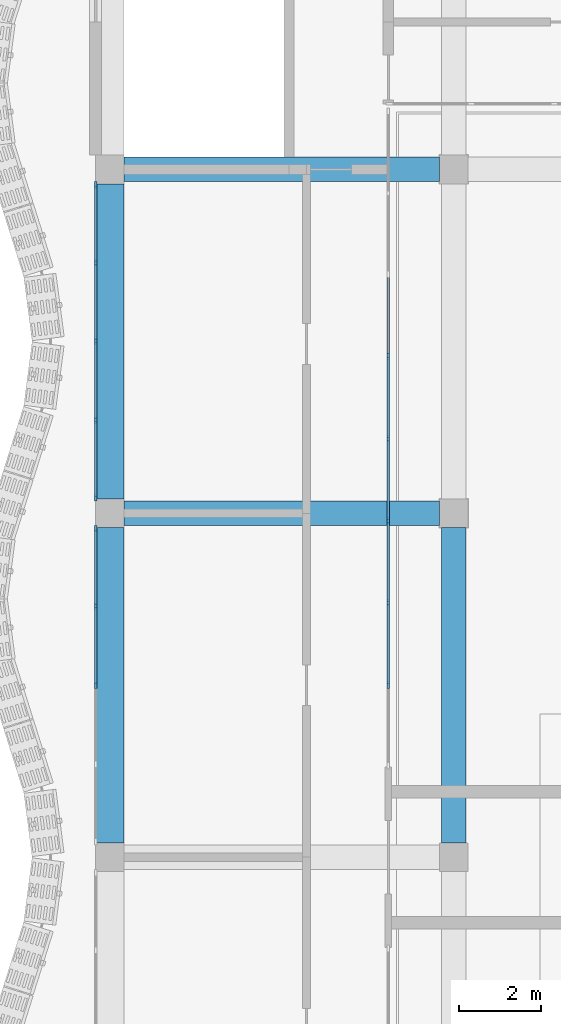
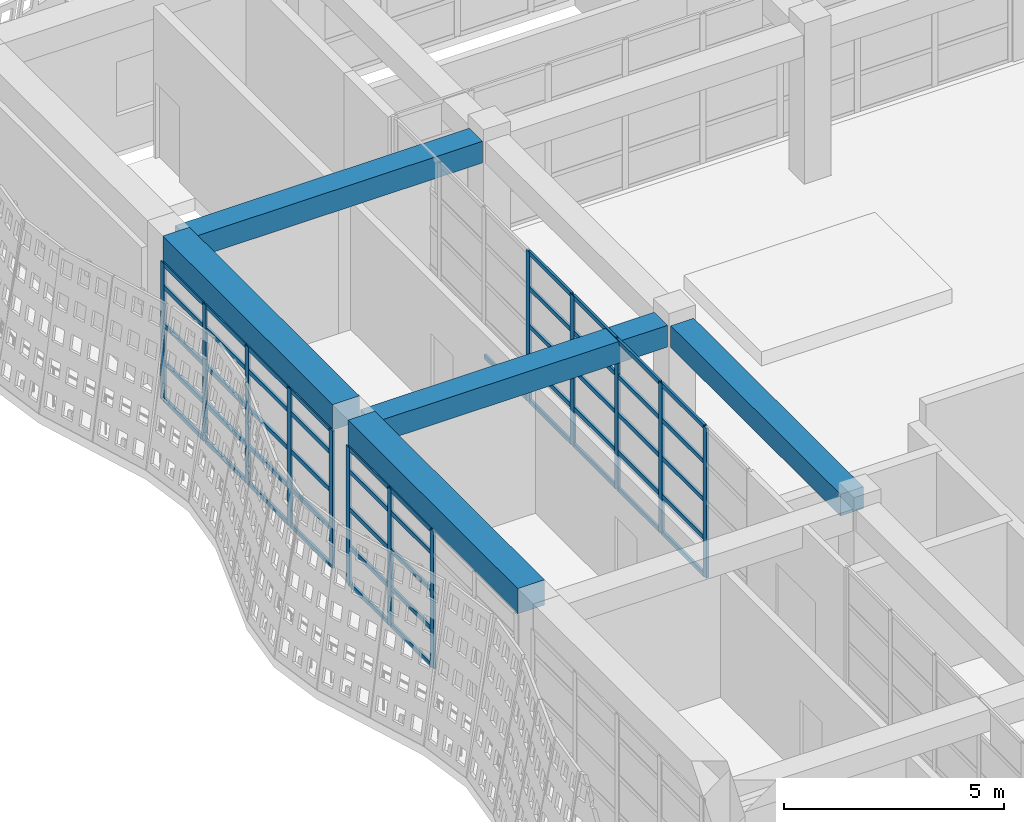
# One storey, part 9 of 85: 64 members, 5 beams, 3 elements without a shape of their own.
"""IFC4 building model written with IfcOpenShell, lengths in metres."""

import ifcopenshell
import ifcopenshell.guid

model = None  # the IFC model being written
_history = None  # IfcOwnerHistory: only IFC2X3 demands one
_inside = {}  # id of a spatial element -> (the spatial element, [elements in it])
_under = {}  # id of a project, library or spatial element -> (it, [spatial elements below it])
_declared = {}  # id of a project -> (the project, [libraries it declares])
_typed = {}  # id of a type object -> (the type object, [elements of that type])
_made_of = {}  # id of a material, layer set ... -> (it, [elements and type objects made of it])


def new_model(schema):
    """Start an empty IFC model of exactly this schema.

    Asked for "IFC4X3", IfcOpenShell would pick the latest addendum, in which some entities
    have other attributes; the version numbers below select the first issue.
    IFC2X3 requires an IfcOwnerHistory on every rooted entity: one is made here for all.
    """
    global model, _history
    if schema == "IFC4X3":
        model = ifcopenshell.file(schema_version=(4, 3, 0, 0))
    else:
        model = ifcopenshell.file(schema=schema)
    _inside.clear()
    _under.clear()
    _declared.clear()
    _typed.clear()
    _made_of.clear()
    _history = None
    if model.schema == "IFC2X3":
        org = make("IfcOrganization", Name="unknown")
        user = make(
            "IfcPersonAndOrganization",
            ThePerson=make("IfcPerson", FamilyName="unknown"),
            TheOrganization=org,
        )
        app = make(
            "IfcApplication",
            ApplicationDeveloper=org,
            Version="unknown",
            ApplicationFullName="unknown",
            ApplicationIdentifier="unknown",
        )
        _history = make(
            "IfcOwnerHistory",
            OwningUser=user,
            OwningApplication=app,
            ChangeAction="ADDED",
            CreationDate=0,
        )
    return model


def make(cls, **values):
    """One entity of the class cls with the attributes given. An attribute that is None is left unset."""
    return model.create_entity(
        cls, **{name: value for name, value in values.items() if value is not None}
    )


def rooted(cls, **values):
    """An entity with a GlobalId (a new one), such as an element, a storey or a relation."""
    return make(cls, GlobalId=ifcopenshell.guid.new(), OwnerHistory=_history, **values)


def si_unit(unit_type, name, prefix=None):
    """IfcSIUnit, for example si_unit("LENGTHUNIT", "METRE", prefix="MILLI")."""
    return make("IfcSIUnit", UnitType=unit_type, Prefix=prefix, Name=name)


def assignment(units):
    """IfcUnitAssignment: the units of a project."""
    return None if units is None else make("IfcUnitAssignment", Units=units)


def point(xyz):
    """IfcCartesianPoint."""
    return None if xyz is None else make("IfcCartesianPoint", Coordinates=xyz)


def direction(xyz):
    """IfcDirection."""
    return None if xyz is None else make("IfcDirection", DirectionRatios=xyz)


def frame(location, z_axis=None, x_axis=None):
    """IfcAxis2Placement3D, a coordinate frame: its origin and axes. An axis left out is left unset."""
    return make(
        "IfcAxis2Placement3D",
        Location=point(location),
        Axis=direction(z_axis),
        RefDirection=direction(x_axis),
    )


def frame_2d(location, x_axis=None):
    """IfcAxis2Placement2D, a coordinate frame in the plane: its origin and x axis."""
    return make(
        "IfcAxis2Placement2D", Location=point(location), RefDirection=direction(x_axis)
    )


def origin():
    """The frame at (0, 0, 0) with its axes left unset."""
    return frame((0.0, 0.0, 0.0))


def origin_2d():
    """The frame at (0, 0) in the plane with its x axis left unset."""
    return frame_2d((0.0, 0.0))


def place(relative_to, where):
    """IfcLocalPlacement: puts the frame where relative to a parent placement (None: the world)."""
    return make(
        "IfcLocalPlacement", PlacementRelTo=relative_to, RelativePlacement=where
    )


def context(
    kind, dimensions, precision=None, world=None, true_north=None, identifier=None
):
    """IfcGeometricRepresentationContext, for example the 3D "Model" context."""
    return make(
        "IfcGeometricRepresentationContext",
        ContextIdentifier=identifier,
        ContextType=kind,
        CoordinateSpaceDimension=dimensions,
        Precision=precision,
        WorldCoordinateSystem=world,
        TrueNorth=true_north,
    )


def subcontext(parent, identifier, kind, view, scale=None):
    """IfcGeometricRepresentationSubContext, for example "Body" below "Model"."""
    return make(
        "IfcGeometricRepresentationSubContext",
        ContextIdentifier=identifier,
        ContextType=kind,
        ParentContext=parent,
        TargetScale=scale,
        TargetView=view,
    )


def project(units=None, contexts=None):
    """IfcProject with its units and contexts."""
    return rooted(
        "IfcProject",
        Name="project",
        RepresentationContexts=contexts,
        UnitsInContext=assignment(units),
    )


def spatial(cls, under=None, at=None, **own):
    """A site, building, storey or space (cls), placed at a placement, below another one or the project."""
    s = rooted(cls, ObjectPlacement=at, **own)
    if under is not None:
        _under.setdefault(under.id(), (under, []))[1].append(s)
    return s


def profile(cls, at=None, kind="AREA", **sizes):
    """A parametric profile (cls). Its sizes go by their IFC names, for example OverallWidth=200.0."""
    return make(cls, ProfileType=kind, Position=at, **sizes)


def rectangle(**sizes):
    """IfcRectangleProfileDef."""
    return profile("IfcRectangleProfileDef", **sizes)


def extrude(swept, where, along, depth):
    """IfcExtrudedAreaSolid: the profile swept, set in the frame where, extruded along a direction by depth."""
    return make(
        "IfcExtrudedAreaSolid",
        SweptArea=swept,
        Position=where,
        ExtrudedDirection=direction(along),
        Depth=depth,
    )


def shape(context_of_items, identifier, shape_type, items):
    """IfcShapeRepresentation: the items that make up one representation, for example the "Body"."""
    return make(
        "IfcShapeRepresentation",
        ContextOfItems=context_of_items,
        RepresentationIdentifier=identifier,
        RepresentationType=shape_type,
        Items=items,
    )


def material(Name=None, Category=None):
    """IfcMaterial."""
    return make("IfcMaterial", Name=Name, Category=Category)


def material_profile(
    of_material, cross_section, Name=None, Category=None, Priority=None
):
    """IfcMaterialProfile: a cross section and its material."""
    return make(
        "IfcMaterialProfile",
        Name=Name,
        Material=of_material,
        Profile=cross_section,
        Priority=Priority,
        Category=Category,
    )


def profile_set(profiles, Name=None, composite=None):
    """IfcMaterialProfileSet."""
    return make(
        "IfcMaterialProfileSet",
        Name=Name,
        MaterialProfiles=profiles,
        CompositeProfile=composite,
    )


def made_of(thing, what):
    """Note that an element or type object is made of a material, layer set ...; save() writes the relation."""
    if what is not None:
        _made_of.setdefault(what.id(), (what, []))[1].append(thing)
    return thing


def type_object(cls, material=None, **own):
    """A type object (cls), such as IfcWallType, which elements share."""
    return made_of(rooted(cls, **own), material)


def element(
    cls,
    number,
    at=None,
    inside=None,
    cuts=None,
    type_object=None,
    material=None,
    context=None,
    identifier="Body",
    shape_type=None,
    held_by="IfcProductDefinitionShape",
    body=None,
    shapes=None,
    **own,
):
    """One element of the class cls, such as IfcWall. Its Tag is "e" and its number.

    at: its placement. inside: the storey or other place that contains it. cuts: it is an
    opening in that element (IfcRelVoidsElement). A single representation is given by context,
    identifier, shape_type and body (its items); several are given by shapes. held_by: the class
    of the entity that holds the representations. save() writes the other relations.
    """
    e = rooted(cls, Tag="e%d" % number, ObjectPlacement=at, **own)
    if body is not None:
        shapes = [shape(context, identifier, shape_type, body)]
    if shapes is not None:
        e.Representation = make(held_by, Representations=shapes)
    if inside is not None:
        _inside.setdefault(inside.id(), (inside, []))[1].append(e)
    if cuts is not None:
        rooted(
            "IfcRelVoidsElement", RelatingBuildingElement=cuts, RelatedOpeningElement=e
        )
    if type_object is not None:
        _typed.setdefault(type_object.id(), (type_object, []))[1].append(e)
    return made_of(e, material)


def aggregate(whole, parts):
    """IfcRelAggregates: a whole, such as a stair, and the parts it consists of."""
    return rooted("IfcRelAggregates", RelatingObject=whole, RelatedObjects=parts)


def save(model, path):
    """Write the relations noted so far, then the file.

    IfcRelAggregates (storeys below a building ...), IfcRelContainedInSpatialStructure (elements
    in a storey), IfcRelDefinesByType, IfcRelAssociatesMaterial and IfcRelDeclares: one each for
    every whole, place, type object, material and project.
    """
    for whole, parts in _under.values():
        aggregate(whole, parts)
    for where, things in _inside.values():
        rooted(
            "IfcRelContainedInSpatialStructure",
            RelatedElements=things,
            RelatingStructure=where,
        )
    for kind, things in _typed.values():
        rooted("IfcRelDefinesByType", RelatedObjects=things, RelatingType=kind)
    for what, things in _made_of.values():
        rooted("IfcRelAssociatesMaterial", RelatedObjects=things, RelatingMaterial=what)
    for by, libraries in _declared.values():
        rooted("IfcRelDeclares", RelatingContext=by, RelatedDefinitions=libraries)
    model.write(path)


model = new_model("IFC4")

# Units and contexts
model_context = context("Model", 3, precision=1e-05, world=origin(), true_north=direction((0.0, 1.0)))
body_context = subcontext(model_context, "Body", "Model", "MODEL_VIEW")
ifc_project = project(units=[si_unit("LENGTHUNIT", "METRE"), si_unit("AREAUNIT", "SQUARE_METRE"), si_unit("VOLUMEUNIT", "CUBIC_METRE"), si_unit("PLANEANGLEUNIT", "RADIAN"), si_unit("MASSUNIT", "GRAM", prefix="KILO")], contexts=[model_context])

# Site, building, storey
site_placement = place(None, origin())
site = spatial("IfcSite", under=ifc_project, at=site_placement, CompositionType="ELEMENT")
building_placement = place(site_placement, origin())
building = spatial("IfcBuilding", under=site, at=building_placement, Name="Rain Tree Exposition and Congress Centre", CompositionType="ELEMENT")
storey_placement = place(building_placement, frame((0.0, 0.0, 15.0)))
storey = spatial("IfcBuildingStorey", under=building, at=storey_placement, Name="L03", CompositionType="ELEMENT", Elevation=15.0)

# Beams
ifc_material_1 = material(Name="Precast concrete C50/60", Category="concrete")
ifc_material_profile_1 = material_profile(ifc_material_1, rectangle(XDim=0.60009765625, YDim=0.60009765625, at=origin_2d()), Name="RC 600x600")
ifc_profile_set_1 = profile_set([ifc_material_profile_1], Name="Precast concrete C50/60")
beam_type_1 = type_object("IfcBeamType", Name="Precast beam 600x600", PredefinedType="BEAM", material=ifc_profile_set_1)
for number, where, z_axis, x_axis, name in (
    (1, (8.39990234375, 25.550048828125, 3.85009765625), (0.0, 1.0, 0.0), (-1.0, 0.0, 0.0), "wing/beam/L03/RF/020"),
    (2, (0.35009765625, 33.60009765625, 3.85009765625), (1.0, 0.0, 0.0), (0.0, 1.0, 0.0), "wing/beam/L03/RF/041"),
    (3, (0.35009765625, 42.0, 3.85009765625), (1.0, 0.0, 0.0), (0.0, 1.0, 0.0), "wing/beam/L03/RF/049"),
):
    element("IfcBeam", number, at=place(storey_placement, frame(where, z_axis=z_axis, x_axis=x_axis)), inside=storey, type_object=beam_type_1, Name=name, PredefinedType="BEAM", context=body_context, shape_type="SweptSolid", body=[
        extrude(rectangle(XDim=0.60009765625, YDim=0.60009765625, at=origin_2d()), origin(), (0.0, 0.0, 1.0), 7.699951171875),
    ])
ifc_material_2 = material(Name="Precast concrete C50/60", Category="concrete")
ifc_material_profile_2 = material_profile(ifc_material_2, rectangle(XDim=0.699951171875, YDim=0.699951171875, at=origin_2d()), Name="RC 700x700")
ifc_profile_set_2 = profile_set([ifc_material_profile_2], Name="Precast concrete C50/60")
beam_type_2 = type_object("IfcBeamType", Name="Precast spandrel beam 700x700", PredefinedType="SPANDREL", material=ifc_profile_set_2)
for number, where, z_axis, x_axis, name in (
    (4, (0.0, 25.550048828125, 4.14990234375), (0.0, 1.0, 0.0), (-1.0, 0.0, 0.0), "wing/beam/L03/RF/008"),
    (5, (0.0, 33.949951171875, 4.14990234375), (0.0, 1.0, 0.0), (-1.0, 0.0, 0.0), "wing/beam/L03/RF/010"),
):
    element("IfcBeam", number, at=place(storey_placement, frame(where, z_axis=z_axis, x_axis=x_axis)), inside=storey, type_object=beam_type_2, Name=name, PredefinedType="SPANDREL", context=body_context, shape_type="SweptSolid", body=[
        extrude(rectangle(XDim=0.699951171875, YDim=0.699951171875, at=origin_2d()), origin(), (0.0, 0.0, 1.0), 7.699951171875),
    ])

# Curtain wall, members
ifc_material_3 = material(Name="Aluminium curtain wall", Category="aluminium")
curtain_wall_type = type_object("IfcCurtainWallType", Name="Wing curtain wall 1925", PredefinedType="NOTDEFINED", material=ifc_material_3)
curtain_wall_1_placement = place(storey_placement, origin())
curtain_wall_1 = element("IfcCurtainWall", 6, at=curtain_wall_1_placement, inside=storey, type_object=curtain_wall_type, Name="Curtain wall CWW410", PredefinedType="NOTDEFINED")
ifc_material_4 = material(Name="Aluminium", Category="aluminium")
ifc_material_profile_3 = material_profile(ifc_material_4, rectangle(XDim=0.06005859375, YDim=0.159912109375, at=origin_2d()), Name="Aluminium 60x160")
ifc_profile_set_3 = profile_set([ifc_material_profile_3], Name="Aluminium")
member_type_1 = type_object("IfcMemberType", Name="Wing mullion 60x160", PredefinedType="MULLION", material=ifc_profile_set_3)
member_1_placement = place(storey_placement, frame((-0.35009765625, 29.39990234375, 0.0), z_axis=(0.0, 0.0, 1.0), x_axis=(-1.0, 0.0, 0.0)))
member_1 = element("IfcMember", 7, at=member_1_placement, type_object=member_type_1, Name="CWW410 mullion 3", PredefinedType="MULLION", context=body_context, shape_type="SweptSolid", body=[
    extrude(rectangle(XDim=0.06005859375, YDim=0.159912109375, at=origin_2d()), origin(), (0.0, 0.0, 1.0), 3.800048828125),
])
member_2_placement = place(storey_placement, frame((-0.35009765625, 31.324951171875, 0.0), z_axis=(0.0, 0.0, 1.0), x_axis=(-1.0, 0.0, 0.0)))
member_2 = element("IfcMember", 8, at=member_2_placement, type_object=member_type_1, Name="CWW410 mullion 4", PredefinedType="MULLION", context=body_context, shape_type="SweptSolid", body=[
    extrude(rectangle(XDim=0.06005859375, YDim=0.159912109375, at=origin_2d()), origin(), (0.0, 0.0, 1.0), 3.800048828125),
])
member_3_placement = place(storey_placement, frame((-0.35009765625, 33.219970703125, 0.0), z_axis=(0.0, 0.0, 1.0), x_axis=(-1.0, 0.0, 0.0)))
member_3 = element("IfcMember", 9, at=member_3_placement, type_object=member_type_1, Name="CWW410 mullion 5", PredefinedType="MULLION", context=body_context, shape_type="SweptSolid", body=[
    extrude(rectangle(XDim=0.06005859375, YDim=0.159912109375, at=origin_2d()), origin(), (0.0, 0.0, 1.0), 3.800048828125),
])

curtain_wall_2_placement = place(storey_placement, origin())
curtain_wall_2 = element("IfcCurtainWall", 10, at=curtain_wall_2_placement, inside=storey, type_object=curtain_wall_type, Name="Curtain wall CWW411", PredefinedType="NOTDEFINED")
member_4_placement = place(storey_placement, frame((-0.35009765625, 33.97998046875, 0.0), z_axis=(0.0, 0.0, 1.0), x_axis=(-1.0, 0.0, 0.0)))
member_4 = element("IfcMember", 11, at=member_4_placement, type_object=member_type_1, Name="CWW411 mullion 1", PredefinedType="MULLION", context=body_context, shape_type="SweptSolid", body=[
    extrude(rectangle(XDim=0.06005859375, YDim=0.159912109375, at=origin_2d()), origin(), (0.0, 0.0, 1.0), 3.800048828125),
])
member_5_placement = place(storey_placement, frame((-0.35009765625, 35.875, 0.0), z_axis=(0.0, 0.0, 1.0), x_axis=(-1.0, 0.0, 0.0)))
member_5 = element("IfcMember", 12, at=member_5_placement, type_object=member_type_1, Name="CWW411 mullion 2", PredefinedType="MULLION", context=body_context, shape_type="SweptSolid", body=[
    extrude(rectangle(XDim=0.06005859375, YDim=0.159912109375, at=origin_2d()), origin(), (0.0, 0.0, 1.0), 3.800048828125),
])
member_6_placement = place(storey_placement, frame((-0.35009765625, 37.800048828125, 0.0), z_axis=(0.0, 0.0, 1.0), x_axis=(-1.0, 0.0, 0.0)))
member_6 = element("IfcMember", 13, at=member_6_placement, type_object=member_type_1, Name="CWW411 mullion 3", PredefinedType="MULLION", context=body_context, shape_type="SweptSolid", body=[
    extrude(rectangle(XDim=0.06005859375, YDim=0.159912109375, at=origin_2d()), origin(), (0.0, 0.0, 1.0), 3.800048828125),
])
member_7_placement = place(storey_placement, frame((-0.35009765625, 39.72509765625, 0.0), z_axis=(0.0, 0.0, 1.0), x_axis=(-1.0, 0.0, 0.0)))
member_7 = element("IfcMember", 14, at=member_7_placement, type_object=member_type_1, Name="CWW411 mullion 4", PredefinedType="MULLION", context=body_context, shape_type="SweptSolid", body=[
    extrude(rectangle(XDim=0.06005859375, YDim=0.159912109375, at=origin_2d()), origin(), (0.0, 0.0, 1.0), 3.800048828125),
])
member_8_placement = place(storey_placement, frame((-0.35009765625, 41.6201171875, 0.0), z_axis=(0.0, 0.0, 1.0), x_axis=(-1.0, 0.0, 0.0)))
member_8 = element("IfcMember", 15, at=member_8_placement, type_object=member_type_1, Name="CWW411 mullion 5", PredefinedType="MULLION", context=body_context, shape_type="SweptSolid", body=[
    extrude(rectangle(XDim=0.06005859375, YDim=0.159912109375, at=origin_2d()), origin(), (0.0, 0.0, 1.0), 3.800048828125),
])

curtain_wall_3_placement = place(storey_placement, origin())
curtain_wall_3 = element("IfcCurtainWall", 16, at=curtain_wall_3_placement, inside=storey, type_object=curtain_wall_type, Name="Curtain wall CWW506", PredefinedType="NOTDEFINED")
member_9_placement = place(storey_placement, frame((6.800048828125, 29.40625, 0.0), z_axis=(0.0, 0.0, 1.0), x_axis=(-1.0, 0.0, 0.0)))
member_9 = element("IfcMember", 17, at=member_9_placement, type_object=member_type_1, Name="CWW506 mullion 2", PredefinedType="MULLION", context=body_context, shape_type="SweptSolid", body=[
    extrude(rectangle(XDim=0.06005859375, YDim=0.159912109375, at=origin_2d()), origin(), (0.0, 0.0, 1.0), 4.14990234375),
])
member_10_placement = place(storey_placement, frame((6.800048828125, 31.41259765625, 0.0), z_axis=(0.0, 0.0, 1.0), x_axis=(-1.0, 0.0, 0.0)))
member_10 = element("IfcMember", 18, at=member_10_placement, type_object=member_type_1, Name="CWW506 mullion 3", PredefinedType="MULLION", context=body_context, shape_type="SweptSolid", body=[
    extrude(rectangle(XDim=0.06005859375, YDim=0.159912109375, at=origin_2d()), origin(), (0.0, 0.0, 1.0), 4.14990234375),
])
member_11_placement = place(storey_placement, frame((6.800048828125, 33.418701171875, 0.0), z_axis=(0.0, 0.0, 1.0), x_axis=(-1.0, 0.0, 0.0)))
member_11 = element("IfcMember", 19, at=member_11_placement, type_object=member_type_1, Name="CWW506 mullion 4", PredefinedType="MULLION", context=body_context, shape_type="SweptSolid", body=[
    extrude(rectangle(XDim=0.06005859375, YDim=0.159912109375, at=origin_2d()), origin(), (0.0, 0.0, 1.0), 4.14990234375),
])
member_12_placement = place(storey_placement, frame((6.800048828125, 35.425048828125, 0.0), z_axis=(0.0, 0.0, 1.0), x_axis=(-1.0, 0.0, 0.0)))
member_12 = element("IfcMember", 20, at=member_12_placement, type_object=member_type_1, Name="CWW506 mullion 5", PredefinedType="MULLION", context=body_context, shape_type="SweptSolid", body=[
    extrude(rectangle(XDim=0.06005859375, YDim=0.159912109375, at=origin_2d()), origin(), (0.0, 0.0, 1.0), 4.14990234375),
])
member_13_placement = place(storey_placement, frame((6.800048828125, 37.43115234375, 0.0), z_axis=(0.0, 0.0, 1.0), x_axis=(-1.0, 0.0, 0.0)))
member_13 = element("IfcMember", 21, at=member_13_placement, type_object=member_type_1, Name="CWW506 mullion 6", PredefinedType="MULLION", context=body_context, shape_type="SweptSolid", body=[
    extrude(rectangle(XDim=0.06005859375, YDim=0.159912109375, at=origin_2d()), origin(), (0.0, 0.0, 1.0), 4.14990234375),
])

# Member
ifc_material_5 = material(Name="Aluminium", Category="aluminium")
ifc_material_profile_4 = material_profile(ifc_material_5, rectangle(XDim=0.06005859375, YDim=0.1201171875, at=origin_2d()), Name="Aluminium 60x120")
ifc_profile_set_4 = profile_set([ifc_material_profile_4], Name="Aluminium")
member_type_2 = type_object("IfcMemberType", Name="Wing transom 60x120", PredefinedType="USERDEFINED", material=ifc_profile_set_4)
member_14_placement = place(storey_placement, frame((-0.35009765625, 29.429931640625, 0.030029296875), z_axis=(0.0, 1.0, 0.0), x_axis=(-1.0, 0.0, 0.0)))
member_14 = element("IfcMember", 22, at=member_14_placement, type_object=member_type_2, Name="CWW410 transom 3.1", ObjectType="TRANSOM", PredefinedType="USERDEFINED", context=body_context, shape_type="SweptSolid", body=[
    extrude(rectangle(XDim=0.06005859375, YDim=0.1201171875, at=origin_2d()), origin(), (0.0, 0.0, 1.0), 1.864990234375),
])

member_15_placement = place(storey_placement, frame((-0.35009765625, 29.429931640625, 1.050048828125), z_axis=(0.0, 1.0, 0.0), x_axis=(-1.0, 0.0, 0.0)))
member_15 = element("IfcMember", 23, at=member_15_placement, type_object=member_type_2, Name="CWW410 transom 3.2", ObjectType="TRANSOM", PredefinedType="USERDEFINED", context=body_context, shape_type="SweptSolid", body=[
    extrude(rectangle(XDim=0.06005859375, YDim=0.1201171875, at=origin_2d()), origin(), (0.0, 0.0, 1.0), 1.864990234375),
])

member_16_placement = place(storey_placement, frame((-0.35009765625, 29.429931640625, 2.10009765625), z_axis=(0.0, 1.0, 0.0), x_axis=(-1.0, 0.0, 0.0)))
member_16 = element("IfcMember", 24, at=member_16_placement, type_object=member_type_2, Name="CWW410 transom 3.3", ObjectType="TRANSOM", PredefinedType="USERDEFINED", context=body_context, shape_type="SweptSolid", body=[
    extrude(rectangle(XDim=0.06005859375, YDim=0.1201171875, at=origin_2d()), origin(), (0.0, 0.0, 1.0), 1.864990234375),
])

member_17_placement = place(storey_placement, frame((-0.35009765625, 29.429931640625, 3.14990234375), z_axis=(0.0, 1.0, 0.0), x_axis=(-1.0, 0.0, 0.0)))
member_17 = element("IfcMember", 25, at=member_17_placement, type_object=member_type_2, Name="CWW410 transom 3.4", ObjectType="TRANSOM", PredefinedType="USERDEFINED", context=body_context, shape_type="SweptSolid", body=[
    extrude(rectangle(XDim=0.06005859375, YDim=0.1201171875, at=origin_2d()), origin(), (0.0, 0.0, 1.0), 1.864990234375),
])

member_18_placement = place(storey_placement, frame((-0.35009765625, 29.429931640625, 3.77001953125), z_axis=(0.0, 1.0, 0.0), x_axis=(-1.0, 0.0, 0.0)))
member_18 = element("IfcMember", 26, at=member_18_placement, type_object=member_type_2, Name="CWW410 transom 3.5", ObjectType="TRANSOM", PredefinedType="USERDEFINED", context=body_context, shape_type="SweptSolid", body=[
    extrude(rectangle(XDim=0.06005859375, YDim=0.1201171875, at=origin_2d()), origin(), (0.0, 0.0, 1.0), 1.864990234375),
])

member_19_placement = place(storey_placement, frame((-0.35009765625, 31.35498046875, 0.030029296875), z_axis=(0.0, 1.0, 0.0), x_axis=(-1.0, 0.0, 0.0)))
member_19 = element("IfcMember", 27, at=member_19_placement, type_object=member_type_2, Name="CWW410 transom 4.1", ObjectType="TRANSOM", PredefinedType="USERDEFINED", context=body_context, shape_type="SweptSolid", body=[
    extrude(rectangle(XDim=0.06005859375, YDim=0.1201171875, at=origin_2d()), origin(), (0.0, 0.0, 1.0), 1.8349609375),
])

member_20_placement = place(storey_placement, frame((-0.35009765625, 31.35498046875, 1.050048828125), z_axis=(0.0, 1.0, 0.0), x_axis=(-1.0, 0.0, 0.0)))
member_20 = element("IfcMember", 28, at=member_20_placement, type_object=member_type_2, Name="CWW410 transom 4.2", ObjectType="TRANSOM", PredefinedType="USERDEFINED", context=body_context, shape_type="SweptSolid", body=[
    extrude(rectangle(XDim=0.06005859375, YDim=0.1201171875, at=origin_2d()), origin(), (0.0, 0.0, 1.0), 1.8349609375),
])

member_21_placement = place(storey_placement, frame((-0.35009765625, 31.35498046875, 2.10009765625), z_axis=(0.0, 1.0, 0.0), x_axis=(-1.0, 0.0, 0.0)))
member_21 = element("IfcMember", 29, at=member_21_placement, type_object=member_type_2, Name="CWW410 transom 4.3", ObjectType="TRANSOM", PredefinedType="USERDEFINED", context=body_context, shape_type="SweptSolid", body=[
    extrude(rectangle(XDim=0.06005859375, YDim=0.1201171875, at=origin_2d()), origin(), (0.0, 0.0, 1.0), 1.8349609375),
])

member_22_placement = place(storey_placement, frame((-0.35009765625, 31.35498046875, 3.14990234375), z_axis=(0.0, 1.0, 0.0), x_axis=(-1.0, 0.0, 0.0)))
member_22 = element("IfcMember", 30, at=member_22_placement, type_object=member_type_2, Name="CWW410 transom 4.4", ObjectType="TRANSOM", PredefinedType="USERDEFINED", context=body_context, shape_type="SweptSolid", body=[
    extrude(rectangle(XDim=0.06005859375, YDim=0.1201171875, at=origin_2d()), origin(), (0.0, 0.0, 1.0), 1.8349609375),
])

member_23_placement = place(storey_placement, frame((-0.35009765625, 31.35498046875, 3.77001953125), z_axis=(0.0, 1.0, 0.0), x_axis=(-1.0, 0.0, 0.0)))
member_23 = element("IfcMember", 31, at=member_23_placement, type_object=member_type_2, Name="CWW410 transom 4.5", ObjectType="TRANSOM", PredefinedType="USERDEFINED", context=body_context, shape_type="SweptSolid", body=[
    extrude(rectangle(XDim=0.06005859375, YDim=0.1201171875, at=origin_2d()), origin(), (0.0, 0.0, 1.0), 1.8349609375),
])

aggregate(curtain_wall_1, [member_1, member_2, member_3, member_14, member_15, member_16, member_17, member_18, member_19, member_20, member_21, member_22, member_23])

member_24_placement = place(storey_placement, frame((-0.35009765625, 34.010009765625, 0.030029296875), z_axis=(0.0, 1.0, 0.0), x_axis=(-1.0, 0.0, 0.0)))
member_24 = element("IfcMember", 32, at=member_24_placement, type_object=member_type_2, Name="CWW411 transom 1.1", ObjectType="TRANSOM", PredefinedType="USERDEFINED", context=body_context, shape_type="SweptSolid", body=[
    extrude(rectangle(XDim=0.06005859375, YDim=0.1201171875, at=origin_2d()), origin(), (0.0, 0.0, 1.0), 1.8349609375),
])

member_25_placement = place(storey_placement, frame((-0.35009765625, 34.010009765625, 1.050048828125), z_axis=(0.0, 1.0, 0.0), x_axis=(-1.0, 0.0, 0.0)))
member_25 = element("IfcMember", 33, at=member_25_placement, type_object=member_type_2, Name="CWW411 transom 1.2", ObjectType="TRANSOM", PredefinedType="USERDEFINED", context=body_context, shape_type="SweptSolid", body=[
    extrude(rectangle(XDim=0.06005859375, YDim=0.1201171875, at=origin_2d()), origin(), (0.0, 0.0, 1.0), 1.8349609375),
])

member_26_placement = place(storey_placement, frame((-0.35009765625, 34.010009765625, 2.10009765625), z_axis=(0.0, 1.0, 0.0), x_axis=(-1.0, 0.0, 0.0)))
member_26 = element("IfcMember", 34, at=member_26_placement, type_object=member_type_2, Name="CWW411 transom 1.3", ObjectType="TRANSOM", PredefinedType="USERDEFINED", context=body_context, shape_type="SweptSolid", body=[
    extrude(rectangle(XDim=0.06005859375, YDim=0.1201171875, at=origin_2d()), origin(), (0.0, 0.0, 1.0), 1.8349609375),
])

member_27_placement = place(storey_placement, frame((-0.35009765625, 34.010009765625, 3.14990234375), z_axis=(0.0, 1.0, 0.0), x_axis=(-1.0, 0.0, 0.0)))
member_27 = element("IfcMember", 35, at=member_27_placement, type_object=member_type_2, Name="CWW411 transom 1.4", ObjectType="TRANSOM", PredefinedType="USERDEFINED", context=body_context, shape_type="SweptSolid", body=[
    extrude(rectangle(XDim=0.06005859375, YDim=0.1201171875, at=origin_2d()), origin(), (0.0, 0.0, 1.0), 1.8349609375),
])

member_28_placement = place(storey_placement, frame((-0.35009765625, 34.010009765625, 3.77001953125), z_axis=(0.0, 1.0, 0.0), x_axis=(-1.0, 0.0, 0.0)))
member_28 = element("IfcMember", 36, at=member_28_placement, type_object=member_type_2, Name="CWW411 transom 1.5", ObjectType="TRANSOM", PredefinedType="USERDEFINED", context=body_context, shape_type="SweptSolid", body=[
    extrude(rectangle(XDim=0.06005859375, YDim=0.1201171875, at=origin_2d()), origin(), (0.0, 0.0, 1.0), 1.8349609375),
])

member_29_placement = place(storey_placement, frame((-0.35009765625, 35.905029296875, 0.030029296875), z_axis=(0.0, 1.0, 0.0), x_axis=(-1.0, 0.0, 0.0)))
member_29 = element("IfcMember", 37, at=member_29_placement, type_object=member_type_2, Name="CWW411 transom 2.1", ObjectType="TRANSOM", PredefinedType="USERDEFINED", context=body_context, shape_type="SweptSolid", body=[
    extrude(rectangle(XDim=0.06005859375, YDim=0.1201171875, at=origin_2d()), origin(), (0.0, 0.0, 1.0), 1.864990234375),
])

member_30_placement = place(storey_placement, frame((-0.35009765625, 35.905029296875, 1.050048828125), z_axis=(0.0, 1.0, 0.0), x_axis=(-1.0, 0.0, 0.0)))
member_30 = element("IfcMember", 38, at=member_30_placement, type_object=member_type_2, Name="CWW411 transom 2.2", ObjectType="TRANSOM", PredefinedType="USERDEFINED", context=body_context, shape_type="SweptSolid", body=[
    extrude(rectangle(XDim=0.06005859375, YDim=0.1201171875, at=origin_2d()), origin(), (0.0, 0.0, 1.0), 1.864990234375),
])

member_31_placement = place(storey_placement, frame((-0.35009765625, 35.905029296875, 2.10009765625), z_axis=(0.0, 1.0, 0.0), x_axis=(-1.0, 0.0, 0.0)))
member_31 = element("IfcMember", 39, at=member_31_placement, type_object=member_type_2, Name="CWW411 transom 2.3", ObjectType="TRANSOM", PredefinedType="USERDEFINED", context=body_context, shape_type="SweptSolid", body=[
    extrude(rectangle(XDim=0.06005859375, YDim=0.1201171875, at=origin_2d()), origin(), (0.0, 0.0, 1.0), 1.864990234375),
])

member_32_placement = place(storey_placement, frame((-0.35009765625, 35.905029296875, 3.14990234375), z_axis=(0.0, 1.0, 0.0), x_axis=(-1.0, 0.0, 0.0)))
member_32 = element("IfcMember", 40, at=member_32_placement, type_object=member_type_2, Name="CWW411 transom 2.4", ObjectType="TRANSOM", PredefinedType="USERDEFINED", context=body_context, shape_type="SweptSolid", body=[
    extrude(rectangle(XDim=0.06005859375, YDim=0.1201171875, at=origin_2d()), origin(), (0.0, 0.0, 1.0), 1.864990234375),
])

member_33_placement = place(storey_placement, frame((-0.35009765625, 35.905029296875, 3.77001953125), z_axis=(0.0, 1.0, 0.0), x_axis=(-1.0, 0.0, 0.0)))
member_33 = element("IfcMember", 41, at=member_33_placement, type_object=member_type_2, Name="CWW411 transom 2.5", ObjectType="TRANSOM", PredefinedType="USERDEFINED", context=body_context, shape_type="SweptSolid", body=[
    extrude(rectangle(XDim=0.06005859375, YDim=0.1201171875, at=origin_2d()), origin(), (0.0, 0.0, 1.0), 1.864990234375),
])

member_34_placement = place(storey_placement, frame((-0.35009765625, 37.830078125, 0.030029296875), z_axis=(0.0, 1.0, 0.0), x_axis=(-1.0, 0.0, 0.0)))
member_34 = element("IfcMember", 42, at=member_34_placement, type_object=member_type_2, Name="CWW411 transom 3.1", ObjectType="TRANSOM", PredefinedType="USERDEFINED", context=body_context, shape_type="SweptSolid", body=[
    extrude(rectangle(XDim=0.06005859375, YDim=0.1201171875, at=origin_2d()), origin(), (0.0, 0.0, 1.0), 1.864990234375),
])

member_35_placement = place(storey_placement, frame((-0.35009765625, 37.830078125, 1.050048828125), z_axis=(0.0, 1.0, 0.0), x_axis=(-1.0, 0.0, 0.0)))
member_35 = element("IfcMember", 43, at=member_35_placement, type_object=member_type_2, Name="CWW411 transom 3.2", ObjectType="TRANSOM", PredefinedType="USERDEFINED", context=body_context, shape_type="SweptSolid", body=[
    extrude(rectangle(XDim=0.06005859375, YDim=0.1201171875, at=origin_2d()), origin(), (0.0, 0.0, 1.0), 1.864990234375),
])

member_36_placement = place(storey_placement, frame((-0.35009765625, 37.830078125, 2.10009765625), z_axis=(0.0, 1.0, 0.0), x_axis=(-1.0, 0.0, 0.0)))
member_36 = element("IfcMember", 44, at=member_36_placement, type_object=member_type_2, Name="CWW411 transom 3.3", ObjectType="TRANSOM", PredefinedType="USERDEFINED", context=body_context, shape_type="SweptSolid", body=[
    extrude(rectangle(XDim=0.06005859375, YDim=0.1201171875, at=origin_2d()), origin(), (0.0, 0.0, 1.0), 1.864990234375),
])

member_37_placement = place(storey_placement, frame((-0.35009765625, 37.830078125, 3.14990234375), z_axis=(0.0, 1.0, 0.0), x_axis=(-1.0, 0.0, 0.0)))
member_37 = element("IfcMember", 45, at=member_37_placement, type_object=member_type_2, Name="CWW411 transom 3.4", ObjectType="TRANSOM", PredefinedType="USERDEFINED", context=body_context, shape_type="SweptSolid", body=[
    extrude(rectangle(XDim=0.06005859375, YDim=0.1201171875, at=origin_2d()), origin(), (0.0, 0.0, 1.0), 1.864990234375),
])

member_38_placement = place(storey_placement, frame((-0.35009765625, 37.830078125, 3.77001953125), z_axis=(0.0, 1.0, 0.0), x_axis=(-1.0, 0.0, 0.0)))
member_38 = element("IfcMember", 46, at=member_38_placement, type_object=member_type_2, Name="CWW411 transom 3.5", ObjectType="TRANSOM", PredefinedType="USERDEFINED", context=body_context, shape_type="SweptSolid", body=[
    extrude(rectangle(XDim=0.06005859375, YDim=0.1201171875, at=origin_2d()), origin(), (0.0, 0.0, 1.0), 1.864990234375),
])

member_39_placement = place(storey_placement, frame((-0.35009765625, 39.7548828125, 0.030029296875), z_axis=(0.0, 1.0, 0.0), x_axis=(-1.0, 0.0, 0.0)))
member_39 = element("IfcMember", 47, at=member_39_placement, type_object=member_type_2, Name="CWW411 transom 4.1", ObjectType="TRANSOM", PredefinedType="USERDEFINED", context=body_context, shape_type="SweptSolid", body=[
    extrude(rectangle(XDim=0.06005859375, YDim=0.1201171875, at=origin_2d()), origin(), (0.0, 0.0, 1.0), 1.835205078125),
])

member_40_placement = place(storey_placement, frame((-0.35009765625, 39.7548828125, 1.050048828125), z_axis=(0.0, 1.0, 0.0), x_axis=(-1.0, 0.0, 0.0)))
member_40 = element("IfcMember", 48, at=member_40_placement, type_object=member_type_2, Name="CWW411 transom 4.2", ObjectType="TRANSOM", PredefinedType="USERDEFINED", context=body_context, shape_type="SweptSolid", body=[
    extrude(rectangle(XDim=0.06005859375, YDim=0.1201171875, at=origin_2d()), origin(), (0.0, 0.0, 1.0), 1.835205078125),
])

member_41_placement = place(storey_placement, frame((-0.35009765625, 39.7548828125, 2.10009765625), z_axis=(0.0, 1.0, 0.0), x_axis=(-1.0, 0.0, 0.0)))
member_41 = element("IfcMember", 49, at=member_41_placement, type_object=member_type_2, Name="CWW411 transom 4.3", ObjectType="TRANSOM", PredefinedType="USERDEFINED", context=body_context, shape_type="SweptSolid", body=[
    extrude(rectangle(XDim=0.06005859375, YDim=0.1201171875, at=origin_2d()), origin(), (0.0, 0.0, 1.0), 1.835205078125),
])

member_42_placement = place(storey_placement, frame((-0.35009765625, 39.7548828125, 3.14990234375), z_axis=(0.0, 1.0, 0.0), x_axis=(-1.0, 0.0, 0.0)))
member_42 = element("IfcMember", 50, at=member_42_placement, type_object=member_type_2, Name="CWW411 transom 4.4", ObjectType="TRANSOM", PredefinedType="USERDEFINED", context=body_context, shape_type="SweptSolid", body=[
    extrude(rectangle(XDim=0.06005859375, YDim=0.1201171875, at=origin_2d()), origin(), (0.0, 0.0, 1.0), 1.835205078125),
])

member_43_placement = place(storey_placement, frame((-0.35009765625, 39.7548828125, 3.77001953125), z_axis=(0.0, 1.0, 0.0), x_axis=(-1.0, 0.0, 0.0)))
member_43 = element("IfcMember", 51, at=member_43_placement, type_object=member_type_2, Name="CWW411 transom 4.5", ObjectType="TRANSOM", PredefinedType="USERDEFINED", context=body_context, shape_type="SweptSolid", body=[
    extrude(rectangle(XDim=0.06005859375, YDim=0.1201171875, at=origin_2d()), origin(), (0.0, 0.0, 1.0), 1.835205078125),
])

aggregate(curtain_wall_2, [member_4, member_5, member_6, member_7, member_8, member_24, member_25, member_26, member_27, member_28, member_29, member_30, member_31, member_32, member_33, member_34, member_35, member_36, member_37, member_38, member_39, member_40, member_41, member_42, member_43])

member_44_placement = place(storey_placement, frame((6.800048828125, 29.436279296875, 0.030029296875), z_axis=(0.0, 1.0, 0.0), x_axis=(-1.0, 0.0, 0.0)))
member_44 = element("IfcMember", 52, at=member_44_placement, type_object=member_type_2, Name="CWW506 transom 2.1", ObjectType="TRANSOM", PredefinedType="USERDEFINED", context=body_context, shape_type="SweptSolid", body=[
    extrude(rectangle(XDim=0.06005859375, YDim=0.1201171875, at=origin_2d()), origin(), (0.0, 0.0, 1.0), 1.9462890625),
])

member_45_placement = place(storey_placement, frame((6.800048828125, 29.436279296875, 1.050048828125), z_axis=(0.0, 1.0, 0.0), x_axis=(-1.0, 0.0, 0.0)))
member_45 = element("IfcMember", 53, at=member_45_placement, type_object=member_type_2, Name="CWW506 transom 2.2", ObjectType="TRANSOM", PredefinedType="USERDEFINED", context=body_context, shape_type="SweptSolid", body=[
    extrude(rectangle(XDim=0.06005859375, YDim=0.1201171875, at=origin_2d()), origin(), (0.0, 0.0, 1.0), 1.9462890625),
])

member_46_placement = place(storey_placement, frame((6.800048828125, 29.436279296875, 2.10009765625), z_axis=(0.0, 1.0, 0.0), x_axis=(-1.0, 0.0, 0.0)))
member_46 = element("IfcMember", 54, at=member_46_placement, type_object=member_type_2, Name="CWW506 transom 2.3", ObjectType="TRANSOM", PredefinedType="USERDEFINED", context=body_context, shape_type="SweptSolid", body=[
    extrude(rectangle(XDim=0.06005859375, YDim=0.1201171875, at=origin_2d()), origin(), (0.0, 0.0, 1.0), 1.9462890625),
])

member_47_placement = place(storey_placement, frame((6.800048828125, 29.436279296875, 3.14990234375), z_axis=(0.0, 1.0, 0.0), x_axis=(-1.0, 0.0, 0.0)))
member_47 = element("IfcMember", 55, at=member_47_placement, type_object=member_type_2, Name="CWW506 transom 2.4", ObjectType="TRANSOM", PredefinedType="USERDEFINED", context=body_context, shape_type="SweptSolid", body=[
    extrude(rectangle(XDim=0.06005859375, YDim=0.1201171875, at=origin_2d()), origin(), (0.0, 0.0, 1.0), 1.9462890625),
])

member_48_placement = place(storey_placement, frame((6.800048828125, 29.436279296875, 4.1201171875), z_axis=(0.0, 1.0, 0.0), x_axis=(-1.0, 0.0, 0.0)))
member_48 = element("IfcMember", 56, at=member_48_placement, type_object=member_type_2, Name="CWW506 transom 2.5", ObjectType="TRANSOM", PredefinedType="USERDEFINED", context=body_context, shape_type="SweptSolid", body=[
    extrude(rectangle(XDim=0.06005859375, YDim=0.1201171875, at=origin_2d()), origin(), (0.0, 0.0, 1.0), 1.9462890625),
])

member_49_placement = place(storey_placement, frame((6.800048828125, 31.4423828125, 0.030029296875), z_axis=(0.0, 1.0, 0.0), x_axis=(-1.0, 0.0, 0.0)))
member_49 = element("IfcMember", 57, at=member_49_placement, type_object=member_type_2, Name="CWW506 transom 3.1", ObjectType="TRANSOM", PredefinedType="USERDEFINED", context=body_context, shape_type="SweptSolid", body=[
    extrude(rectangle(XDim=0.06005859375, YDim=0.1201171875, at=origin_2d()), origin(), (0.0, 0.0, 1.0), 1.9462890625),
])

member_50_placement = place(storey_placement, frame((6.800048828125, 31.4423828125, 1.050048828125), z_axis=(0.0, 1.0, 0.0), x_axis=(-1.0, 0.0, 0.0)))
member_50 = element("IfcMember", 58, at=member_50_placement, type_object=member_type_2, Name="CWW506 transom 3.2", ObjectType="TRANSOM", PredefinedType="USERDEFINED", context=body_context, shape_type="SweptSolid", body=[
    extrude(rectangle(XDim=0.06005859375, YDim=0.1201171875, at=origin_2d()), origin(), (0.0, 0.0, 1.0), 1.9462890625),
])

member_51_placement = place(storey_placement, frame((6.800048828125, 31.4423828125, 2.10009765625), z_axis=(0.0, 1.0, 0.0), x_axis=(-1.0, 0.0, 0.0)))
member_51 = element("IfcMember", 59, at=member_51_placement, type_object=member_type_2, Name="CWW506 transom 3.3", ObjectType="TRANSOM", PredefinedType="USERDEFINED", context=body_context, shape_type="SweptSolid", body=[
    extrude(rectangle(XDim=0.06005859375, YDim=0.1201171875, at=origin_2d()), origin(), (0.0, 0.0, 1.0), 1.9462890625),
])

member_52_placement = place(storey_placement, frame((6.800048828125, 31.4423828125, 3.14990234375), z_axis=(0.0, 1.0, 0.0), x_axis=(-1.0, 0.0, 0.0)))
member_52 = element("IfcMember", 60, at=member_52_placement, type_object=member_type_2, Name="CWW506 transom 3.4", ObjectType="TRANSOM", PredefinedType="USERDEFINED", context=body_context, shape_type="SweptSolid", body=[
    extrude(rectangle(XDim=0.06005859375, YDim=0.1201171875, at=origin_2d()), origin(), (0.0, 0.0, 1.0), 1.9462890625),
])

member_53_placement = place(storey_placement, frame((6.800048828125, 31.4423828125, 4.1201171875), z_axis=(0.0, 1.0, 0.0), x_axis=(-1.0, 0.0, 0.0)))
member_53 = element("IfcMember", 61, at=member_53_placement, type_object=member_type_2, Name="CWW506 transom 3.5", ObjectType="TRANSOM", PredefinedType="USERDEFINED", context=body_context, shape_type="SweptSolid", body=[
    extrude(rectangle(XDim=0.06005859375, YDim=0.1201171875, at=origin_2d()), origin(), (0.0, 0.0, 1.0), 1.9462890625),
])

member_54_placement = place(storey_placement, frame((6.800048828125, 33.44873046875, 0.030029296875), z_axis=(0.0, 1.0, 0.0), x_axis=(-1.0, 0.0, 0.0)))
member_54 = element("IfcMember", 62, at=member_54_placement, type_object=member_type_2, Name="CWW506 transom 4.1", ObjectType="TRANSOM", PredefinedType="USERDEFINED", context=body_context, shape_type="SweptSolid", body=[
    extrude(rectangle(XDim=0.06005859375, YDim=0.1201171875, at=origin_2d()), origin(), (0.0, 0.0, 1.0), 1.9462890625),
])

member_55_placement = place(storey_placement, frame((6.800048828125, 33.44873046875, 1.050048828125), z_axis=(0.0, 1.0, 0.0), x_axis=(-1.0, 0.0, 0.0)))
member_55 = element("IfcMember", 63, at=member_55_placement, type_object=member_type_2, Name="CWW506 transom 4.2", ObjectType="TRANSOM", PredefinedType="USERDEFINED", context=body_context, shape_type="SweptSolid", body=[
    extrude(rectangle(XDim=0.06005859375, YDim=0.1201171875, at=origin_2d()), origin(), (0.0, 0.0, 1.0), 1.9462890625),
])

member_56_placement = place(storey_placement, frame((6.800048828125, 33.44873046875, 2.10009765625), z_axis=(0.0, 1.0, 0.0), x_axis=(-1.0, 0.0, 0.0)))
member_56 = element("IfcMember", 64, at=member_56_placement, type_object=member_type_2, Name="CWW506 transom 4.3", ObjectType="TRANSOM", PredefinedType="USERDEFINED", context=body_context, shape_type="SweptSolid", body=[
    extrude(rectangle(XDim=0.06005859375, YDim=0.1201171875, at=origin_2d()), origin(), (0.0, 0.0, 1.0), 1.9462890625),
])

member_57_placement = place(storey_placement, frame((6.800048828125, 33.44873046875, 3.14990234375), z_axis=(0.0, 1.0, 0.0), x_axis=(-1.0, 0.0, 0.0)))
member_57 = element("IfcMember", 65, at=member_57_placement, type_object=member_type_2, Name="CWW506 transom 4.4", ObjectType="TRANSOM", PredefinedType="USERDEFINED", context=body_context, shape_type="SweptSolid", body=[
    extrude(rectangle(XDim=0.06005859375, YDim=0.1201171875, at=origin_2d()), origin(), (0.0, 0.0, 1.0), 1.9462890625),
])

member_58_placement = place(storey_placement, frame((6.800048828125, 33.44873046875, 4.1201171875), z_axis=(0.0, 1.0, 0.0), x_axis=(-1.0, 0.0, 0.0)))
member_58 = element("IfcMember", 66, at=member_58_placement, type_object=member_type_2, Name="CWW506 transom 4.5", ObjectType="TRANSOM", PredefinedType="USERDEFINED", context=body_context, shape_type="SweptSolid", body=[
    extrude(rectangle(XDim=0.06005859375, YDim=0.1201171875, at=origin_2d()), origin(), (0.0, 0.0, 1.0), 1.9462890625),
])

member_59_placement = place(storey_placement, frame((6.800048828125, 35.455078125, 0.030029296875), z_axis=(0.0, 1.0, 0.0), x_axis=(-1.0, 0.0, 0.0)))
member_59 = element("IfcMember", 67, at=member_59_placement, type_object=member_type_2, Name="CWW506 transom 5.1", ObjectType="TRANSOM", PredefinedType="USERDEFINED", context=body_context, shape_type="SweptSolid", body=[
    extrude(rectangle(XDim=0.06005859375, YDim=0.1201171875, at=origin_2d()), origin(), (0.0, 0.0, 1.0), 1.9462890625),
])

member_60_placement = place(storey_placement, frame((6.800048828125, 35.455078125, 1.050048828125), z_axis=(0.0, 1.0, 0.0), x_axis=(-1.0, 0.0, 0.0)))
member_60 = element("IfcMember", 68, at=member_60_placement, type_object=member_type_2, Name="CWW506 transom 5.2", ObjectType="TRANSOM", PredefinedType="USERDEFINED", context=body_context, shape_type="SweptSolid", body=[
    extrude(rectangle(XDim=0.06005859375, YDim=0.1201171875, at=origin_2d()), origin(), (0.0, 0.0, 1.0), 1.9462890625),
])

member_61_placement = place(storey_placement, frame((6.800048828125, 35.455078125, 2.10009765625), z_axis=(0.0, 1.0, 0.0), x_axis=(-1.0, 0.0, 0.0)))
member_61 = element("IfcMember", 69, at=member_61_placement, type_object=member_type_2, Name="CWW506 transom 5.3", ObjectType="TRANSOM", PredefinedType="USERDEFINED", context=body_context, shape_type="SweptSolid", body=[
    extrude(rectangle(XDim=0.06005859375, YDim=0.1201171875, at=origin_2d()), origin(), (0.0, 0.0, 1.0), 1.9462890625),
])

member_62_placement = place(storey_placement, frame((6.800048828125, 35.455078125, 3.14990234375), z_axis=(0.0, 1.0, 0.0), x_axis=(-1.0, 0.0, 0.0)))
member_62 = element("IfcMember", 70, at=member_62_placement, type_object=member_type_2, Name="CWW506 transom 5.4", ObjectType="TRANSOM", PredefinedType="USERDEFINED", context=body_context, shape_type="SweptSolid", body=[
    extrude(rectangle(XDim=0.06005859375, YDim=0.1201171875, at=origin_2d()), origin(), (0.0, 0.0, 1.0), 1.9462890625),
])

member_63_placement = place(storey_placement, frame((6.800048828125, 35.455078125, 4.1201171875), z_axis=(0.0, 1.0, 0.0), x_axis=(-1.0, 0.0, 0.0)))
member_63 = element("IfcMember", 71, at=member_63_placement, type_object=member_type_2, Name="CWW506 transom 5.5", ObjectType="TRANSOM", PredefinedType="USERDEFINED", context=body_context, shape_type="SweptSolid", body=[
    extrude(rectangle(XDim=0.06005859375, YDim=0.1201171875, at=origin_2d()), origin(), (0.0, 0.0, 1.0), 1.9462890625),
])

member_64_placement = place(storey_placement, frame((6.800048828125, 37.461181640625, 0.030029296875), z_axis=(0.0, 1.0, 0.0), x_axis=(-1.0, 0.0, 0.0)))
member_64 = element("IfcMember", 72, at=member_64_placement, type_object=member_type_2, Name="CWW506 transom 6.1", ObjectType="TRANSOM", PredefinedType="USERDEFINED", context=body_context, shape_type="SweptSolid", body=[
    extrude(rectangle(XDim=0.06005859375, YDim=0.1201171875, at=origin_2d()), origin(), (0.0, 0.0, 1.0), 1.9462890625),
])

aggregate(curtain_wall_3, [member_9, member_10, member_11, member_12, member_13, member_44, member_45, member_46, member_47, member_48, member_49, member_50, member_51, member_52, member_53, member_54, member_55, member_56, member_57, member_58, member_59, member_60, member_61, member_62, member_63, member_64])

save(model, "model.ifc")
